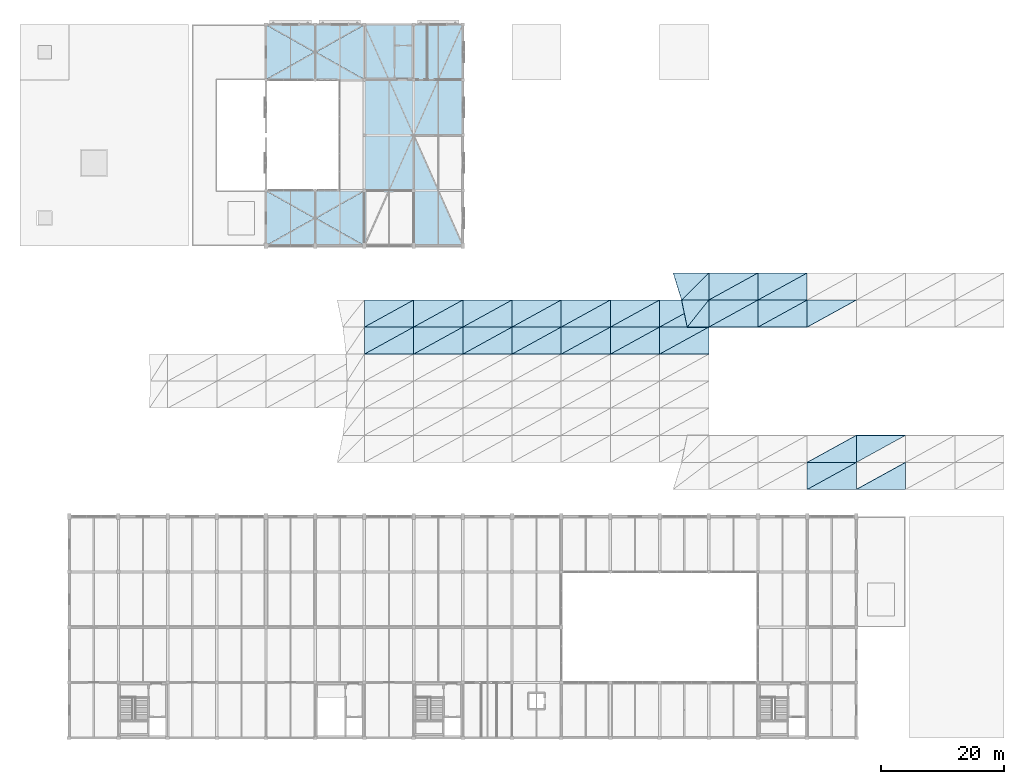
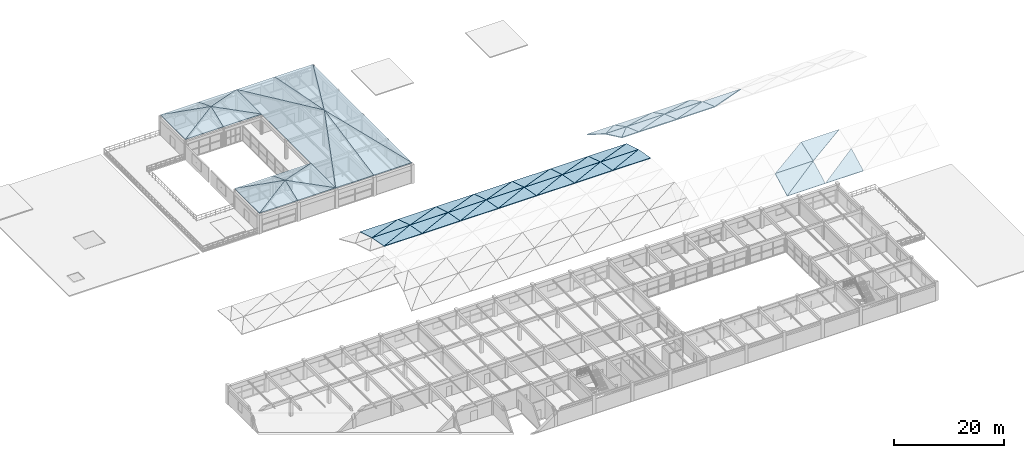
# One storey, part 51 of 63: 64 roofs.
"""IFC4 building model written with IfcOpenShell, lengths in metres."""

from ifc_helpers import new_model, si_unit, direction, frame, origin, place, context, subcontext, project, spatial, polyline, outline, extrude, material, layer, layer_set, type_object, element, save


model = new_model("IFC4")

# Units and contexts
model_context = context("Model", 3, precision=1e-05, world=origin(), true_north=direction((0.0, 1.0)))
body_context = subcontext(model_context, "Body", "Model", "MODEL_VIEW")
ifc_project = project(units=[si_unit("LENGTHUNIT", "METRE"), si_unit("AREAUNIT", "SQUARE_METRE"), si_unit("VOLUMEUNIT", "CUBIC_METRE"), si_unit("PLANEANGLEUNIT", "RADIAN"), si_unit("MASSUNIT", "GRAM", prefix="KILO")], contexts=[model_context])

# Site, building, storey
site_placement = place(None, origin())
site = spatial("IfcSite", under=ifc_project, at=site_placement, CompositionType="ELEMENT")
building_placement = place(site_placement, origin())
building = spatial("IfcBuilding", under=site, at=building_placement, Name="Varnabhumi Central Station", CompositionType="ELEMENT")
storey_placement = place(building_placement, frame((0.0, 0.0, 20.39990234375)))
storey = spatial("IfcBuildingStorey", under=building, at=storey_placement, Name="L04", CompositionType="ELEMENT", Elevation=20.39990234375)

# Roofs
ifc_material_1 = material(Name="Terracotta clay Mission barrel tile", Category="masonry")
ifc_layer_1 = layer(ifc_material_1, 0.179931640625, Name="Terracotta clay Mission barrel tile", Category="masonry")
ifc_layer_set_1 = layer_set([ifc_layer_1], Name="Terracotta clay Mission barrel tile")
roof_type_1 = type_object("IfcRoofType", Name="ROOF-MISSION-HIP", PredefinedType="HIP_ROOF", material=ifc_layer_set_1)
for number, where, z_axis, x_axis, name in (
    (1, (80.0, 80.0, 4.402099609375), (-0.405892611102, 0.0, 0.913920777887), (0.0, 1.0, 0.0), "Clay Barrel-Tile Hip End Slope NBP5-E"),
    (2, (96.0, 116.0, 4.402099609375), (0.405892611102, 0.0, 0.913920777887), (0.0, -1.0, 0.0), "Clay Barrel-Tile Hip End Slope NBP5-W"),
):
    element("IfcRoof", number, at=place(storey_placement, frame(where, z_axis=z_axis, x_axis=x_axis)), inside=storey, type_object=roof_type_1, Name=name, PredefinedType="HIP_ROOF", context=body_context, shape_type="SweptSolid", body=[
        extrude(outline(polyline([(0.0, 0.0), (36.0, 0.0), (18.0, -8.753493949988933), (0.0, 0.0)])), origin(), (0.0, 0.0, -1.0), 0.179931640625),
    ])
roof_1_placement = place(storey_placement, frame((80.0, 80.0, 4.402099609375), z_axis=(0.0, -0.193651232285, 0.981070435919), x_axis=(1.0, 0.0, 0.0)))
element("IfcRoof", 3, at=roof_1_placement, inside=storey, type_object=roof_type_1, Name="Clay Barrel-Tile Roof Slope NBP5-1S", PredefinedType="HIP_ROOF", context=body_context, shape_type="SweptSolid", body=[
    extrude(outline(polyline([(0.0, 0.0), (8.0, 0.0), (8.0, 18.347306514376786), (0.0, 0.0)])), origin(), (0.0, 0.0, -1.0), 0.179931640625),
])
for number, where, z_axis, x_axis, name in (
    (4, (88.0, 116.0, 4.402099609375), (0.0, 0.193651232285, 0.981070435919), (-1.0, 0.0, 0.0), "Clay Barrel-Tile Roof Slope NBP5-1N"),
    (5, (88.0, 80.0, 4.402099609375), (0.0, -0.193651232285, 0.981070435919), (1.0, 0.0, 0.0), "Clay Barrel-Tile Roof Slope NBP5-2S"),
):
    element("IfcRoof", number, at=place(storey_placement, frame(where, z_axis=z_axis, x_axis=x_axis)), inside=storey, type_object=roof_type_1, Name=name, PredefinedType="HIP_ROOF", context=body_context, shape_type="SweptSolid", body=[
        extrude(outline(polyline([(0.0, 0.0), (8.0, 0.0), (0.0, 18.347306514376786), (0.0, 0.0)])), origin(), (0.0, 0.0, -1.0), 0.179931640625),
    ])
roof_2_placement = place(storey_placement, frame((96.0, 116.0, 4.402099609375), z_axis=(0.0, 0.193651232285, 0.981070435919), x_axis=(-1.0, 0.0, 0.0)))
element("IfcRoof", 6, at=roof_2_placement, inside=storey, type_object=roof_type_1, Name="Clay Barrel-Tile Roof Slope NBP5-2N", PredefinedType="HIP_ROOF", context=body_context, shape_type="SweptSolid", body=[
    extrude(outline(polyline([(0.0, 0.0), (8.0, 0.0), (8.0, 18.347306514376786), (0.0, 0.0)])), origin(), (0.0, 0.0, -1.0), 0.179931640625),
])
for number, where, z_axis, x_axis, name in (
    (7, (64.0, 80.0, 4.402099609375), (-0.214038253902, 0.0, 0.976825279089), (0.0, 1.0, 0.0), "Clay Barrel-Tile Hip End Slope NBP5S-E"),
    (8, (80.0, 89.0, 4.402099609375), (0.214038253902, 0.0, 0.976825279089), (0.0, -1.0, 0.0), "Clay Barrel-Tile Hip End Slope NBP5S-W"),
):
    element("IfcRoof", number, at=place(storey_placement, frame(where, z_axis=z_axis, x_axis=x_axis)), inside=storey, type_object=roof_type_1, Name=name, PredefinedType="HIP_ROOF", context=body_context, shape_type="SweptSolid", body=[
        extrude(outline(polyline([(0.0, 0.0), (9.0, 0.0), (4.5, -8.189796242234532), (0.0, 0.0)])), origin(), (0.0, 0.0, -1.0), 0.179931640625),
    ])
roof_3_placement = place(storey_placement, frame((64.0, 80.0, 4.402099609375), z_axis=(0.0, -0.362973150885, 0.931799598485), x_axis=(1.0, 0.0, 0.0)))
element("IfcRoof", 9, at=roof_3_placement, inside=storey, type_object=roof_type_1, Name="Clay Barrel-Tile Roof Slope NBP5S-1S", PredefinedType="HIP_ROOF", context=body_context, shape_type="SweptSolid", body=[
    extrude(outline(polyline([(0.0, 0.0), (8.0, 0.0), (8.0, 4.829364605133769), (0.0, 0.0)])), origin(), (0.0, 0.0, -1.0), 0.179931640625),
])
for number, where, z_axis, x_axis, name in (
    (10, (72.0, 89.0, 4.402099609375), (0.0, 0.362973150885, 0.931799598485), (-1.0, 0.0, 0.0), "Clay Barrel-Tile Roof Slope NBP5S-1N"),
    (11, (72.0, 80.0, 4.402099609375), (0.0, -0.362973150885, 0.931799598485), (1.0, 0.0, 0.0), "Clay Barrel-Tile Roof Slope NBP5S-2S"),
):
    element("IfcRoof", number, at=place(storey_placement, frame(where, z_axis=z_axis, x_axis=x_axis)), inside=storey, type_object=roof_type_1, Name=name, PredefinedType="HIP_ROOF", context=body_context, shape_type="SweptSolid", body=[
        extrude(outline(polyline([(0.0, 0.0), (8.0, 0.0), (0.0, 4.829364605133769), (0.0, 0.0)])), origin(), (0.0, 0.0, -1.0), 0.179931640625),
    ])
roof_4_placement = place(storey_placement, frame((80.0, 89.0, 4.402099609375), z_axis=(0.0, 0.362973150885, 0.931799598485), x_axis=(-1.0, 0.0, 0.0)))
element("IfcRoof", 12, at=roof_4_placement, inside=storey, type_object=roof_type_1, Name="Clay Barrel-Tile Roof Slope NBP5S-2N", PredefinedType="HIP_ROOF", context=body_context, shape_type="SweptSolid", body=[
    extrude(outline(polyline([(0.0, 0.0), (8.0, 0.0), (8.0, 4.829364605133769), (0.0, 0.0)])), origin(), (0.0, 0.0, -1.0), 0.179931640625),
])
for number, where, z_axis, x_axis, name in (
    (13, (64.0, 107.0, 4.402099609375), (-0.214038253902, 0.0, 0.976825279089), (0.0, 1.0, 0.0), "Clay Barrel-Tile Hip End Slope NBP5N-E"),
    (14, (80.0, 116.0, 4.402099609375), (0.214038253902, 0.0, 0.976825279089), (0.0, -1.0, 0.0), "Clay Barrel-Tile Hip End Slope NBP5N-W"),
):
    element("IfcRoof", number, at=place(storey_placement, frame(where, z_axis=z_axis, x_axis=x_axis)), inside=storey, type_object=roof_type_1, Name=name, PredefinedType="HIP_ROOF", context=body_context, shape_type="SweptSolid", body=[
        extrude(outline(polyline([(0.0, 0.0), (9.0, 0.0), (4.5, -8.189796242234532), (0.0, 0.0)])), origin(), (0.0, 0.0, -1.0), 0.179931640625),
    ])
roof_5_placement = place(storey_placement, frame((64.0, 107.0, 4.402099609375), z_axis=(0.0, -0.362973150885, 0.931799598485), x_axis=(1.0, 0.0, 0.0)))
element("IfcRoof", 15, at=roof_5_placement, inside=storey, type_object=roof_type_1, Name="Clay Barrel-Tile Roof Slope NBP5N-1S", PredefinedType="HIP_ROOF", context=body_context, shape_type="SweptSolid", body=[
    extrude(outline(polyline([(0.0, 0.0), (8.0, 0.0), (8.0, 4.829364605133769), (0.0, 0.0)])), origin(), (0.0, 0.0, -1.0), 0.179931640625),
])
for number, where, z_axis, x_axis, name in (
    (16, (72.0, 116.0, 4.402099609375), (0.0, 0.362973150885, 0.931799598485), (-1.0, 0.0, 0.0), "Clay Barrel-Tile Roof Slope NBP5N-1N"),
    (17, (72.0, 107.0, 4.402099609375), (0.0, -0.362973150885, 0.931799598485), (1.0, 0.0, 0.0), "Clay Barrel-Tile Roof Slope NBP5N-2S"),
):
    element("IfcRoof", number, at=place(storey_placement, frame(where, z_axis=z_axis, x_axis=x_axis)), inside=storey, type_object=roof_type_1, Name=name, PredefinedType="HIP_ROOF", context=body_context, shape_type="SweptSolid", body=[
        extrude(outline(polyline([(0.0, 0.0), (8.0, 0.0), (0.0, 4.829364605133769), (0.0, 0.0)])), origin(), (0.0, 0.0, -1.0), 0.179931640625),
    ])
roof_6_placement = place(storey_placement, frame((80.0, 116.0, 4.402099609375), z_axis=(0.0, 0.362973150885, 0.931799598485), x_axis=(-1.0, 0.0, 0.0)))
element("IfcRoof", 18, at=roof_6_placement, inside=storey, type_object=roof_type_1, Name="Clay Barrel-Tile Roof Slope NBP5N-2N", PredefinedType="HIP_ROOF", context=body_context, shape_type="SweptSolid", body=[
    extrude(outline(polyline([(0.0, 0.0), (8.0, 0.0), (8.0, 4.829364605133769), (0.0, 0.0)])), origin(), (0.0, 0.0, -1.0), 0.179931640625),
])
ifc_material_2 = material(Name="Champagne bronze diamond metal panel")
ifc_layer_2 = layer(ifc_material_2, 0.159912109375, Name="Champagne bronze diamond metal panel")
ifc_layer_set_2 = layer_set([ifc_layer_2], Name="Champagne bronze diamond metal panel")
roof_type_2 = type_object("IfcRoofType", Name="ROOF-VAULT-BARREL", PredefinedType="BARREL_ROOF", material=ifc_layer_set_2)
roof_7_placement = place(storey_placement, frame((80.0, 62.39990234375, 2.1123046875), z_axis=(0.0, 0.17878455364, 0.983888247404), x_axis=(1.0, 0.0, 0.0)))
element("IfcRoof", 19, at=roof_7_placement, inside=storey, type_object=roof_type_2, Name="Departure Concourse Vault Diamond Shell Panel 2-7A", PredefinedType="BARREL_ROOF", context=body_context, shape_type="SweptSolid", body=[
    extrude(outline(polyline([(0.0, 0.0), (8.0, 0.0), (8.0, 4.472201488313862), (0.0, 0.0)])), origin(), (0.0, 0.0, -1.0), 0.159912109375),
])
roof_8_placement = place(storey_placement, frame((80.0, 62.39990234375, 2.1123046875), z_axis=(0.0, 0.17878455364, 0.983888247404), x_axis=(0.872868515511, 0.480093666231, -0.087238903451)))
element("IfcRoof", 20, at=roof_8_placement, inside=storey, type_object=roof_type_2, Name="Departure Concourse Vault Diamond Shell Panel 2-7B", PredefinedType="BARREL_ROOF", context=body_context, shape_type="SweptSolid", body=[
    extrude(outline(polyline([(0.0, 0.0), (9.165183367073281, -1.3877787807814457e-17), (2.1822352429882166, 3.9036438741689645), (0.0, 0.0)])), origin(), (0.0, 0.0, -1.0), 0.159912109375),
])
roof_9_placement = place(storey_placement, frame((80.0, 66.800048828125, 1.31787109375), z_axis=(0.0, 0.297557021259, 0.954704047912), x_axis=(1.0, 0.0, 0.0)))
element("IfcRoof", 21, at=roof_9_placement, inside=storey, type_object=roof_type_2, Name="Departure Concourse Vault Diamond Shell Panel 2-8A", PredefinedType="BARREL_ROOF", context=body_context, shape_type="SweptSolid", body=[
    extrude(outline(polyline([(0.0, 0.0), (8.0, 0.0), (8.0, 4.608655795869395), (0.0, 0.0)])), origin(), (0.0, 0.0, -1.0), 0.159912109375),
])
roof_10_placement = place(storey_placement, frame((80.0, 66.800048828125, 1.31787109375), z_axis=(0.0, 0.297557021259, 0.954704047912), x_axis=(0.866500883197, 0.476564908355, -0.148533186674)))
element("IfcRoof", 22, at=roof_10_placement, inside=storey, type_object=roof_type_2, Name="Departure Concourse Vault Diamond Shell Panel 2-8B", PredefinedType="BARREL_ROOF", context=body_context, shape_type="SweptSolid", body=[
    extrude(outline(polyline([(0.0, 0.0), (9.23253530969693, 1.1102230246251565e-16), (2.300528244120822, 3.993404317471865), (0.0, 0.0)])), origin(), (0.0, 0.0, -1.0), 0.159912109375),
])
roof_11_placement = place(storey_placement, frame((88.0, 62.39990234375, 2.1123046875), z_axis=(0.0, 0.17878455364, 0.983888247404), x_axis=(1.0, 0.0, 0.0)))
element("IfcRoof", 23, at=roof_11_placement, inside=storey, type_object=roof_type_2, Name="Departure Concourse Vault Diamond Shell Panel 3-7A", PredefinedType="BARREL_ROOF", context=body_context, shape_type="SweptSolid", body=[
    extrude(outline(polyline([(0.0, 0.0), (8.0, 0.0), (8.0, 4.472201488313862), (0.0, 0.0)])), origin(), (0.0, 0.0, -1.0), 0.159912109375),
])
roof_12_placement = place(storey_placement, frame((88.0, 62.39990234375, 2.1123046875), z_axis=(0.0, 0.17878455364, 0.983888247404), x_axis=(0.872868515511, 0.480093666231, -0.087238903451)))
element("IfcRoof", 24, at=roof_12_placement, inside=storey, type_object=roof_type_2, Name="Departure Concourse Vault Diamond Shell Panel 3-7B", PredefinedType="BARREL_ROOF", context=body_context, shape_type="SweptSolid", body=[
    extrude(outline(polyline([(0.0, 0.0), (9.165183367073281, -1.3877787807814457e-17), (2.1822352429882166, 3.9036438741689645), (0.0, 0.0)])), origin(), (0.0, 0.0, -1.0), 0.159912109375),
])
roof_13_placement = place(storey_placement, frame((88.0, 66.800048828125, 1.31787109375), z_axis=(0.0, 0.297557021259, 0.954704047912), x_axis=(1.0, 0.0, 0.0)))
element("IfcRoof", 25, at=roof_13_placement, inside=storey, type_object=roof_type_2, Name="Departure Concourse Vault Diamond Shell Panel 3-8A", PredefinedType="BARREL_ROOF", context=body_context, shape_type="SweptSolid", body=[
    extrude(outline(polyline([(0.0, 0.0), (8.0, 0.0), (8.0, 4.608655795869395), (0.0, 0.0)])), origin(), (0.0, 0.0, -1.0), 0.159912109375),
])
roof_14_placement = place(storey_placement, frame((88.0, 66.800048828125, 1.31787109375), z_axis=(0.0, 0.297557021259, 0.954704047912), x_axis=(0.866500883197, 0.476564908355, -0.148533186674)))
element("IfcRoof", 26, at=roof_14_placement, inside=storey, type_object=roof_type_2, Name="Departure Concourse Vault Diamond Shell Panel 3-8B", PredefinedType="BARREL_ROOF", context=body_context, shape_type="SweptSolid", body=[
    extrude(outline(polyline([(0.0, 0.0), (9.23253530969693, 1.1102230246251565e-16), (2.300528244120822, 3.993404317471865), (0.0, 0.0)])), origin(), (0.0, 0.0, -1.0), 0.159912109375),
])
roof_15_placement = place(storey_placement, frame((96.0, 62.39990234375, 2.1123046875), z_axis=(0.0, 0.17878455364, 0.983888247404), x_axis=(1.0, 0.0, 0.0)))
element("IfcRoof", 27, at=roof_15_placement, inside=storey, type_object=roof_type_2, Name="Departure Concourse Vault Diamond Shell Panel 4-7A", PredefinedType="BARREL_ROOF", context=body_context, shape_type="SweptSolid", body=[
    extrude(outline(polyline([(0.0, 0.0), (8.0, 0.0), (8.0, 4.472201488313862), (0.0, 0.0)])), origin(), (0.0, 0.0, -1.0), 0.159912109375),
])
roof_16_placement = place(storey_placement, frame((96.0, 62.39990234375, 2.1123046875), z_axis=(0.0, 0.17878455364, 0.983888247404), x_axis=(0.872868515511, 0.480093666231, -0.087238903451)))
element("IfcRoof", 28, at=roof_16_placement, inside=storey, type_object=roof_type_2, Name="Departure Concourse Vault Diamond Shell Panel 4-7B", PredefinedType="BARREL_ROOF", context=body_context, shape_type="SweptSolid", body=[
    extrude(outline(polyline([(0.0, 0.0), (9.165183367073281, -1.3877787807814457e-17), (2.1822352429882166, 3.9036438741689645), (0.0, 0.0)])), origin(), (0.0, 0.0, -1.0), 0.159912109375),
])
roof_17_placement = place(storey_placement, frame((96.0, 66.800048828125, 1.31787109375), z_axis=(0.0, 0.297557021259, 0.954704047912), x_axis=(1.0, 0.0, 0.0)))
element("IfcRoof", 29, at=roof_17_placement, inside=storey, type_object=roof_type_2, Name="Departure Concourse Vault Diamond Shell Panel 4-8A", PredefinedType="BARREL_ROOF", context=body_context, shape_type="SweptSolid", body=[
    extrude(outline(polyline([(0.0, 0.0), (8.0, 0.0), (8.0, 4.608655795869395), (0.0, 0.0)])), origin(), (0.0, 0.0, -1.0), 0.159912109375),
])
roof_18_placement = place(storey_placement, frame((96.0, 66.800048828125, 1.31787109375), z_axis=(0.0, 0.297557021259, 0.954704047912), x_axis=(0.866500883197, 0.476564908355, -0.148533186674)))
element("IfcRoof", 30, at=roof_18_placement, inside=storey, type_object=roof_type_2, Name="Departure Concourse Vault Diamond Shell Panel 4-8B", PredefinedType="BARREL_ROOF", context=body_context, shape_type="SweptSolid", body=[
    extrude(outline(polyline([(0.0, 0.0), (9.23253530969693, 1.1102230246251565e-16), (2.300528244120822, 3.993404317471865), (0.0, 0.0)])), origin(), (0.0, 0.0, -1.0), 0.159912109375),
])
roof_19_placement = place(storey_placement, frame((104.0, 62.39990234375, 2.1123046875), z_axis=(0.0, 0.17878455364, 0.983888247404), x_axis=(1.0, 0.0, 0.0)))
element("IfcRoof", 31, at=roof_19_placement, inside=storey, type_object=roof_type_2, Name="Departure Concourse Vault Diamond Shell Panel 5-7A", PredefinedType="BARREL_ROOF", context=body_context, shape_type="SweptSolid", body=[
    extrude(outline(polyline([(0.0, 0.0), (8.0, 0.0), (8.0, 4.472201488313862), (0.0, 0.0)])), origin(), (0.0, 0.0, -1.0), 0.159912109375),
])
roof_20_placement = place(storey_placement, frame((104.0, 62.39990234375, 2.1123046875), z_axis=(0.0, 0.17878455364, 0.983888247404), x_axis=(0.872868515511, 0.480093666231, -0.087238903451)))
element("IfcRoof", 32, at=roof_20_placement, inside=storey, type_object=roof_type_2, Name="Departure Concourse Vault Diamond Shell Panel 5-7B", PredefinedType="BARREL_ROOF", context=body_context, shape_type="SweptSolid", body=[
    extrude(outline(polyline([(0.0, 0.0), (9.165183367073281, -1.3877787807814457e-17), (2.1822352429882166, 3.9036438741689645), (0.0, 0.0)])), origin(), (0.0, 0.0, -1.0), 0.159912109375),
])
roof_21_placement = place(storey_placement, frame((104.0, 66.800048828125, 1.31787109375), z_axis=(0.0, 0.297557021259, 0.954704047912), x_axis=(1.0, 0.0, 0.0)))
element("IfcRoof", 33, at=roof_21_placement, inside=storey, type_object=roof_type_2, Name="Departure Concourse Vault Diamond Shell Panel 5-8A", PredefinedType="BARREL_ROOF", context=body_context, shape_type="SweptSolid", body=[
    extrude(outline(polyline([(0.0, 0.0), (8.0, 0.0), (8.0, 4.608655795869395), (0.0, 0.0)])), origin(), (0.0, 0.0, -1.0), 0.159912109375),
])
roof_22_placement = place(storey_placement, frame((104.0, 66.800048828125, 1.31787109375), z_axis=(0.0, 0.297557021259, 0.954704047912), x_axis=(0.866500883197, 0.476564908355, -0.148533186674)))
element("IfcRoof", 34, at=roof_22_placement, inside=storey, type_object=roof_type_2, Name="Departure Concourse Vault Diamond Shell Panel 5-8B", PredefinedType="BARREL_ROOF", context=body_context, shape_type="SweptSolid", body=[
    extrude(outline(polyline([(0.0, 0.0), (9.23253530969693, 1.1102230246251565e-16), (2.300528244120822, 3.993404317471865), (0.0, 0.0)])), origin(), (0.0, 0.0, -1.0), 0.159912109375),
])
roof_23_placement = place(storey_placement, frame((112.0, 62.39990234375, 2.1123046875), z_axis=(0.0, 0.17878455364, 0.983888247404), x_axis=(1.0, 0.0, 0.0)))
element("IfcRoof", 35, at=roof_23_placement, inside=storey, type_object=roof_type_2, Name="Departure Concourse Vault Diamond Shell Panel 6-7A", PredefinedType="BARREL_ROOF", context=body_context, shape_type="SweptSolid", body=[
    extrude(outline(polyline([(0.0, 0.0), (8.0, 0.0), (8.0, 4.472201488313862), (0.0, 0.0)])), origin(), (0.0, 0.0, -1.0), 0.159912109375),
])
roof_24_placement = place(storey_placement, frame((112.0, 62.39990234375, 2.1123046875), z_axis=(0.0, 0.17878455364, 0.983888247404), x_axis=(0.872868515511, 0.480093666231, -0.087238903451)))
element("IfcRoof", 36, at=roof_24_placement, inside=storey, type_object=roof_type_2, Name="Departure Concourse Vault Diamond Shell Panel 6-7B", PredefinedType="BARREL_ROOF", context=body_context, shape_type="SweptSolid", body=[
    extrude(outline(polyline([(0.0, 0.0), (9.165183367073281, -1.3877787807814457e-17), (2.1822352429882166, 3.9036438741689645), (0.0, 0.0)])), origin(), (0.0, 0.0, -1.0), 0.159912109375),
])
roof_25_placement = place(storey_placement, frame((112.0, 66.800048828125, 1.31787109375), z_axis=(0.0, 0.297557021259, 0.954704047912), x_axis=(1.0, 0.0, 0.0)))
element("IfcRoof", 37, at=roof_25_placement, inside=storey, type_object=roof_type_2, Name="Departure Concourse Vault Diamond Shell Panel 6-8A", PredefinedType="BARREL_ROOF", context=body_context, shape_type="SweptSolid", body=[
    extrude(outline(polyline([(0.0, 0.0), (8.0, 0.0), (8.0, 4.608655795869395), (0.0, 0.0)])), origin(), (0.0, 0.0, -1.0), 0.159912109375),
])
roof_26_placement = place(storey_placement, frame((112.0, 66.800048828125, 1.31787109375), z_axis=(0.0, 0.297557021259, 0.954704047912), x_axis=(0.866500883197, 0.476564908355, -0.148533186674)))
element("IfcRoof", 38, at=roof_26_placement, inside=storey, type_object=roof_type_2, Name="Departure Concourse Vault Diamond Shell Panel 6-8B", PredefinedType="BARREL_ROOF", context=body_context, shape_type="SweptSolid", body=[
    extrude(outline(polyline([(0.0, 0.0), (9.23253530969693, 1.1102230246251565e-16), (2.300528244120822, 3.993404317471865), (0.0, 0.0)])), origin(), (0.0, 0.0, -1.0), 0.159912109375),
])
roof_27_placement = place(storey_placement, frame((120.0, 62.39990234375, 2.1123046875), z_axis=(0.0, 0.17878455364, 0.983888247404), x_axis=(1.0, 0.0, 0.0)))
element("IfcRoof", 39, at=roof_27_placement, inside=storey, type_object=roof_type_2, Name="Departure Concourse Vault Diamond Shell Panel 7-7A", PredefinedType="BARREL_ROOF", context=body_context, shape_type="SweptSolid", body=[
    extrude(outline(polyline([(0.0, 0.0), (8.0, 0.0), (8.0, 4.472201488313862), (0.0, 0.0)])), origin(), (0.0, 0.0, -1.0), 0.159912109375),
])
roof_28_placement = place(storey_placement, frame((120.0, 62.39990234375, 2.1123046875), z_axis=(0.0, 0.17878455364, 0.983888247404), x_axis=(0.872868515511, 0.480093666231, -0.087238903451)))
element("IfcRoof", 40, at=roof_28_placement, inside=storey, type_object=roof_type_2, Name="Departure Concourse Vault Diamond Shell Panel 7-7B", PredefinedType="BARREL_ROOF", context=body_context, shape_type="SweptSolid", body=[
    extrude(outline(polyline([(0.0, 0.0), (9.165183367073281, -1.3877787807814457e-17), (2.1822352429882166, 3.9036438741689645), (0.0, 0.0)])), origin(), (0.0, 0.0, -1.0), 0.159912109375),
])
roof_29_placement = place(storey_placement, frame((120.0, 66.800048828125, 1.31787109375), z_axis=(0.0, 0.297557021259, 0.954704047912), x_axis=(1.0, 0.0, 0.0)))
element("IfcRoof", 41, at=roof_29_placement, inside=storey, type_object=roof_type_2, Name="Departure Concourse Vault Diamond Shell Panel 7-8A", PredefinedType="BARREL_ROOF", context=body_context, shape_type="SweptSolid", body=[
    extrude(outline(polyline([(0.0, 0.0), (8.0, 0.0), (8.0, 4.608655795869395), (0.0, 0.0)])), origin(), (0.0, 0.0, -1.0), 0.159912109375),
])
roof_30_placement = place(storey_placement, frame((120.0, 66.800048828125, 1.31787109375), z_axis=(0.0, 0.297557021259, 0.954704047912), x_axis=(0.866500883197, 0.476564908355, -0.148533186674)))
element("IfcRoof", 42, at=roof_30_placement, inside=storey, type_object=roof_type_2, Name="Departure Concourse Vault Diamond Shell Panel 7-8B", PredefinedType="BARREL_ROOF", context=body_context, shape_type="SweptSolid", body=[
    extrude(outline(polyline([(0.0, 0.0), (9.23253530969693, 1.1102230246251565e-16), (2.300528244120822, 3.993404317471865), (0.0, 0.0)])), origin(), (0.0, 0.0, -1.0), 0.159912109375),
])
roof_31_placement = place(storey_placement, frame((128.0, 62.39990234375, 2.1123046875), z_axis=(0.0, 0.17878455364, 0.983888247404), x_axis=(1.0, 0.0, 0.0)))
element("IfcRoof", 43, at=roof_31_placement, inside=storey, type_object=roof_type_2, Name="Departure Concourse Vault Diamond Shell Panel 8-7A", PredefinedType="BARREL_ROOF", context=body_context, shape_type="SweptSolid", body=[
    extrude(outline(polyline([(0.0, 0.0), (8.0, 0.0), (8.0, 4.472201488313862), (0.0, 0.0)])), origin(), (0.0, 0.0, -1.0), 0.159912109375),
])
roof_32_placement = place(storey_placement, frame((128.0, 62.39990234375, 2.1123046875), z_axis=(0.0, 0.17878455364, 0.983888247404), x_axis=(0.872868515511, 0.480093666231, -0.087238903451)))
element("IfcRoof", 44, at=roof_32_placement, inside=storey, type_object=roof_type_2, Name="Departure Concourse Vault Diamond Shell Panel 8-7B", PredefinedType="BARREL_ROOF", context=body_context, shape_type="SweptSolid", body=[
    extrude(outline(polyline([(0.0, 0.0), (9.165183367073281, -1.3877787807814457e-17), (2.1822352429882166, 3.9036438741689645), (0.0, 0.0)])), origin(), (0.0, 0.0, -1.0), 0.159912109375),
])
roof_33_placement = place(storey_placement, frame((128.0, 66.800048828125, 1.31787109375), z_axis=(0.0, 0.297557021259, 0.954704047912), x_axis=(1.0, 0.0, 0.0)))
element("IfcRoof", 45, at=roof_33_placement, inside=storey, type_object=roof_type_2, Name="Departure Concourse Vault Diamond Shell Panel 8-8A", PredefinedType="BARREL_ROOF", context=body_context, shape_type="SweptSolid", body=[
    extrude(outline(polyline([(0.0, 0.0), (8.0, 0.0), (8.0, 4.608655795869395), (0.0, 0.0)])), origin(), (0.0, 0.0, -1.0), 0.159912109375),
])
roof_34_placement = place(storey_placement, frame((128.0, 66.800048828125, 1.31787109375), z_axis=(0.0, 0.297557021259, 0.954704047912), x_axis=(0.866500883197, 0.476564908355, -0.148533186674)))
element("IfcRoof", 46, at=roof_34_placement, inside=storey, type_object=roof_type_2, Name="Departure Concourse Vault Diamond Shell Panel 8-8B", PredefinedType="BARREL_ROOF", context=body_context, shape_type="SweptSolid", body=[
    extrude(outline(polyline([(0.0, 0.0), (9.23253530969693, 1.1102230246251565e-16), (2.300528244120822, 3.993404317471865), (0.0, 0.0)])), origin(), (0.0, 0.0, -1.0), 0.159912109375),
])
roof_35_placement = place(storey_placement, frame((132.491455078125, 66.800048828125, 5.234619140625), z_axis=(0.0, 0.331716436742, 0.943379142018), x_axis=(1.0, 0.0, 0.0)))
element("IfcRoof", 47, at=roof_35_placement, inside=storey, type_object=roof_type_2, Name="Platform Train-Shed Vault Diamond Shell Panel 1-8A", PredefinedType="BARREL_ROOF", context=body_context, shape_type="SweptSolid", body=[
    extrude(outline(polyline([(0.0, 0.0), (3.508544921875, 0.0), (3.508544921875, 4.663980946554668), (0.0, 0.0)])), origin(), (0.0, 0.0, -1.0), 0.159912109375),
])
roof_36_placement = place(storey_placement, frame((132.491455078125, 66.800048828125, 5.234619140625), z_axis=(0.0, 0.331716436742, 0.943379142018), x_axis=(0.60115727551, 0.753883266247, -0.26508479959)))
element("IfcRoof", 48, at=roof_36_placement, inside=storey, type_object=roof_type_2, Name="Platform Train-Shed Vault Diamond Shell Panel 1-8B", PredefinedType="BARREL_ROOF", context=body_context, shape_type="SweptSolid", body=[
    extrude(outline(polyline([(0.0, 0.0), (5.836317823648729, 2.7755575615628914e-16), (3.1776351952641417, 3.534241515452765), (0.0, 0.0)])), origin(), (0.0, 0.0, -1.0), 0.159912109375),
])
roof_37_placement = place(storey_placement, frame((131.577392578125, 71.199951171875, 3.69873046875), z_axis=(0.0, 0.464407224337, 0.88562177592), x_axis=(1.0, 0.0, 0.0)))
element("IfcRoof", 49, at=roof_37_placement, inside=storey, type_object=roof_type_2, Name="Platform Train-Shed Vault Diamond Shell Panel 1-9A", PredefinedType="BARREL_ROOF", context=body_context, shape_type="SweptSolid", body=[
    extrude(outline(polyline([(0.0, 0.0), (4.422607421875, 0.0), (4.422607421875, 4.96842625600933), (0.0, 0.0)])), origin(), (0.0, 0.0, -1.0), 0.159912109375),
])
roof_38_placement = place(storey_placement, frame((131.577392578125, 71.199951171875, 3.69873046875), z_axis=(0.0, 0.464407224337, 0.88562177592), x_axis=(0.664886760452, 0.661510023937, -0.346886269557)))
element("IfcRoof", 50, at=roof_38_placement, inside=storey, type_object=roof_type_2, Name="Platform Train-Shed Vault Diamond Shell Panel 1-9B", PredefinedType="BARREL_ROOF", context=body_context, shape_type="SweptSolid", body=[
    extrude(outline(polyline([(0.0, 0.0), (6.651670156391305, -1.1102230246251565e-16), (2.8045470551459992, 4.321918181520084), (0.0, 0.0)])), origin(), (0.0, 0.0, -1.0), 0.159912109375),
])
roof_39_placement = place(storey_placement, frame((136.0, 66.800048828125, 5.234619140625), z_axis=(0.0, 0.331716436742, 0.943379142018), x_axis=(1.0, 0.0, 0.0)))
element("IfcRoof", 51, at=roof_39_placement, inside=storey, type_object=roof_type_2, Name="Platform Train-Shed Vault Diamond Shell Panel 2-8A", PredefinedType="BARREL_ROOF", context=body_context, shape_type="SweptSolid", body=[
    extrude(outline(polyline([(0.0, 0.0), (8.0, 0.0), (8.0, 4.663980946554668), (0.0, 0.0)])), origin(), (0.0, 0.0, -1.0), 0.159912109375),
])
roof_40_placement = place(storey_placement, frame((136.0, 66.800048828125, 5.234619140625), z_axis=(0.0, 0.331716436742, 0.943379142018), x_axis=(0.863905102688, 0.475137260762, -0.167070515007)))
element("IfcRoof", 52, at=roof_40_placement, inside=storey, type_object=roof_type_2, Name="Platform Train-Shed Vault Diamond Shell Panel 2-8B", PredefinedType="BARREL_ROOF", context=body_context, shape_type="SweptSolid", body=[
    extrude(outline(polyline([(0.0, 0.0), (9.26027636033747, -5.551115123125783e-17), (2.3490355388305337, 4.029236938569898), (0.0, 0.0)])), origin(), (0.0, 0.0, -1.0), 0.159912109375),
])
roof_41_placement = place(storey_placement, frame((136.0, 71.199951171875, 3.69873046875), z_axis=(0.0, 0.464407224337, 0.88562177592), x_axis=(1.0, 0.0, 0.0)))
element("IfcRoof", 53, at=roof_41_placement, inside=storey, type_object=roof_type_2, Name="Platform Train-Shed Vault Diamond Shell Panel 2-9A", PredefinedType="BARREL_ROOF", context=body_context, shape_type="SweptSolid", body=[
    extrude(outline(polyline([(0.0, 0.0), (8.0, 0.0), (8.0, 4.968426256009331), (0.0, 0.0)])), origin(), (0.0, 0.0, -1.0), 0.159912109375),
])
roof_42_placement = place(storey_placement, frame((136.0, 71.199951171875, 3.69873046875), z_axis=(0.0, 0.464407224337, 0.88562177592), x_axis=(0.849501727798, 0.46724150513, -0.245014673749)))
element("IfcRoof", 54, at=roof_42_placement, inside=storey, type_object=roof_type_2, Name="Platform Train-Shed Vault Diamond Shell Panel 2-9B", PredefinedType="BARREL_ROOF", context=body_context, shape_type="SweptSolid", body=[
    extrude(outline(polyline([(0.0, 0.0), (9.417285142831924, -5.551115123125783e-16), (2.621271320449755, 4.2206866889157375), (0.0, 0.0)])), origin(), (0.0, 0.0, -1.0), 0.159912109375),
])
roof_43_placement = place(storey_placement, frame((144.0, 66.800048828125, 5.234619140625), z_axis=(0.0, 0.331716436742, 0.943379142018), x_axis=(1.0, 0.0, 0.0)))
element("IfcRoof", 55, at=roof_43_placement, inside=storey, type_object=roof_type_2, Name="Platform Train-Shed Vault Diamond Shell Panel 3-8A", PredefinedType="BARREL_ROOF", context=body_context, shape_type="SweptSolid", body=[
    extrude(outline(polyline([(0.0, 0.0), (8.0, 0.0), (8.0, 4.663980946554668), (0.0, 0.0)])), origin(), (0.0, 0.0, -1.0), 0.159912109375),
])
roof_44_placement = place(storey_placement, frame((144.0, 66.800048828125, 5.234619140625), z_axis=(0.0, 0.331716436742, 0.943379142018), x_axis=(0.863905102688, 0.475137260762, -0.167070515007)))
element("IfcRoof", 56, at=roof_44_placement, inside=storey, type_object=roof_type_2, Name="Platform Train-Shed Vault Diamond Shell Panel 3-8B", PredefinedType="BARREL_ROOF", context=body_context, shape_type="SweptSolid", body=[
    extrude(outline(polyline([(0.0, 0.0), (9.26027636033747, -5.551115123125783e-17), (2.3490355388305337, 4.029236938569898), (0.0, 0.0)])), origin(), (0.0, 0.0, -1.0), 0.159912109375),
])
roof_45_placement = place(storey_placement, frame((144.0, 71.199951171875, 3.69873046875), z_axis=(0.0, 0.464407224337, 0.88562177592), x_axis=(1.0, 0.0, 0.0)))
element("IfcRoof", 57, at=roof_45_placement, inside=storey, type_object=roof_type_2, Name="Platform Train-Shed Vault Diamond Shell Panel 3-9A", PredefinedType="BARREL_ROOF", context=body_context, shape_type="SweptSolid", body=[
    extrude(outline(polyline([(0.0, 0.0), (8.0, 0.0), (8.0, 4.968426256009331), (0.0, 0.0)])), origin(), (0.0, 0.0, -1.0), 0.159912109375),
])
roof_46_placement = place(storey_placement, frame((144.0, 71.199951171875, 3.69873046875), z_axis=(0.0, 0.464407224337, 0.88562177592), x_axis=(0.849501727798, 0.46724150513, -0.245014673749)))
element("IfcRoof", 58, at=roof_46_placement, inside=storey, type_object=roof_type_2, Name="Platform Train-Shed Vault Diamond Shell Panel 3-9B", PredefinedType="BARREL_ROOF", context=body_context, shape_type="SweptSolid", body=[
    extrude(outline(polyline([(0.0, 0.0), (9.417285142831924, -5.551115123125783e-16), (2.621271320449755, 4.2206866889157375), (0.0, 0.0)])), origin(), (0.0, 0.0, -1.0), 0.159912109375),
])
roof_47_placement = place(storey_placement, frame((152.0, 40.39990234375, 1.391357421875), z_axis=(0.0, -0.464407224337, 0.88562177592), x_axis=(1.0, 0.0, 0.0)))
element("IfcRoof", 59, at=roof_47_placement, inside=storey, type_object=roof_type_2, Name="Platform Train-Shed Vault Diamond Shell Panel 4-2A", PredefinedType="BARREL_ROOF", context=body_context, shape_type="SweptSolid", body=[
    extrude(outline(polyline([(0.0, 0.0), (8.0, 0.0), (8.0, 4.968426256009331), (0.0, 0.0)])), origin(), (0.0, 0.0, -1.0), 0.159912109375),
])
roof_48_placement = place(storey_placement, frame((152.0, 40.39990234375, 1.391357421875), z_axis=(0.0, -0.464407224337, 0.88562177592), x_axis=(0.849501727798, 0.46724150513, 0.245014673749)))
element("IfcRoof", 60, at=roof_48_placement, inside=storey, type_object=roof_type_2, Name="Platform Train-Shed Vault Diamond Shell Panel 4-2B", PredefinedType="BARREL_ROOF", context=body_context, shape_type="SweptSolid", body=[
    extrude(outline(polyline([(0.0, 0.0), (9.417285142831924, -5.551115123125783e-16), (2.621271320449755, 4.2206866889157375), (0.0, 0.0)])), origin(), (0.0, 0.0, -1.0), 0.159912109375),
])
roof_49_placement = place(storey_placement, frame((152.0, 44.800048828125, 3.6875), z_axis=(0.0, -0.331716436742, 0.943379142018), x_axis=(1.0, 0.0, 0.0)))
element("IfcRoof", 61, at=roof_49_placement, inside=storey, type_object=roof_type_2, Name="Platform Train-Shed Vault Diamond Shell Panel 4-3A", PredefinedType="BARREL_ROOF", context=body_context, shape_type="SweptSolid", body=[
    extrude(outline(polyline([(0.0, 0.0), (8.0, 0.0), (8.0, 4.663980946554668), (0.0, 0.0)])), origin(), (0.0, 0.0, -1.0), 0.159912109375),
])
roof_50_placement = place(storey_placement, frame((152.0, 66.800048828125, 5.234619140625), z_axis=(0.0, 0.331716436742, 0.943379142018), x_axis=(0.863905102688, 0.475137260762, -0.167070515007)))
element("IfcRoof", 62, at=roof_50_placement, inside=storey, type_object=roof_type_2, Name="Platform Train-Shed Vault Diamond Shell Panel 4-8B", PredefinedType="BARREL_ROOF", context=body_context, shape_type="SweptSolid", body=[
    extrude(outline(polyline([(0.0, 0.0), (9.26027636033747, -5.551115123125783e-17), (2.3490355388305337, 4.029236938569898), (0.0, 0.0)])), origin(), (0.0, 0.0, -1.0), 0.159912109375),
])
roof_51_placement = place(storey_placement, frame((160.0, 40.39990234375, 1.391357421875), z_axis=(0.0, -0.464407224337, 0.88562177592), x_axis=(1.0, 0.0, 0.0)))
element("IfcRoof", 63, at=roof_51_placement, inside=storey, type_object=roof_type_2, Name="Platform Train-Shed Vault Diamond Shell Panel 5-2A", PredefinedType="BARREL_ROOF", context=body_context, shape_type="SweptSolid", body=[
    extrude(outline(polyline([(0.0, 0.0), (8.0, 0.0), (8.0, 4.968426256009331), (0.0, 0.0)])), origin(), (0.0, 0.0, -1.0), 0.159912109375),
])
roof_52_placement = place(storey_placement, frame((160.0, 44.800048828125, 3.6875), z_axis=(0.0, -0.331716436742, 0.943379142018), x_axis=(0.863905102688, 0.475137260762, 0.167070515007)))
element("IfcRoof", 64, at=roof_52_placement, inside=storey, type_object=roof_type_2, Name="Platform Train-Shed Vault Diamond Shell Panel 5-3B", PredefinedType="BARREL_ROOF", context=body_context, shape_type="SweptSolid", body=[
    extrude(outline(polyline([(0.0, 0.0), (9.26027636033747, -5.551115123125783e-17), (2.3490355388305337, 4.029236938569898), (0.0, 0.0)])), origin(), (0.0, 0.0, -1.0), 0.159912109375),
])

save(model, "model.ifc")
